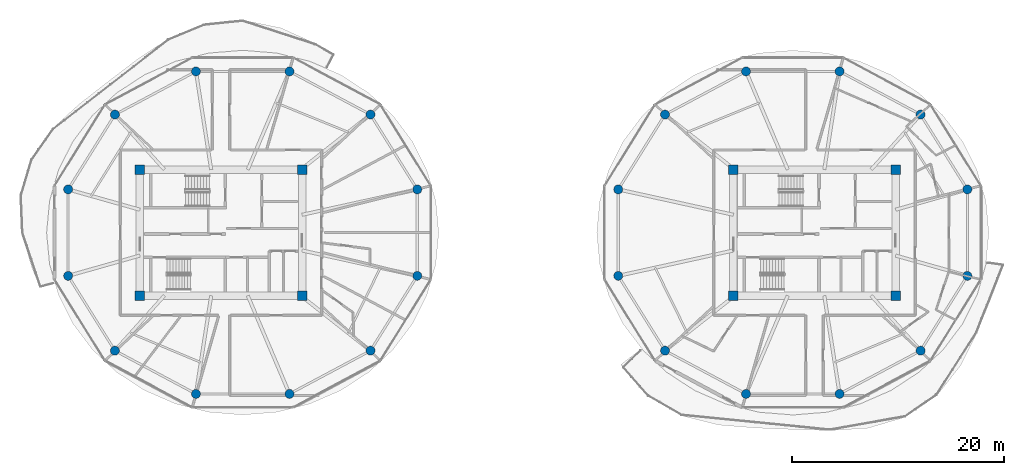
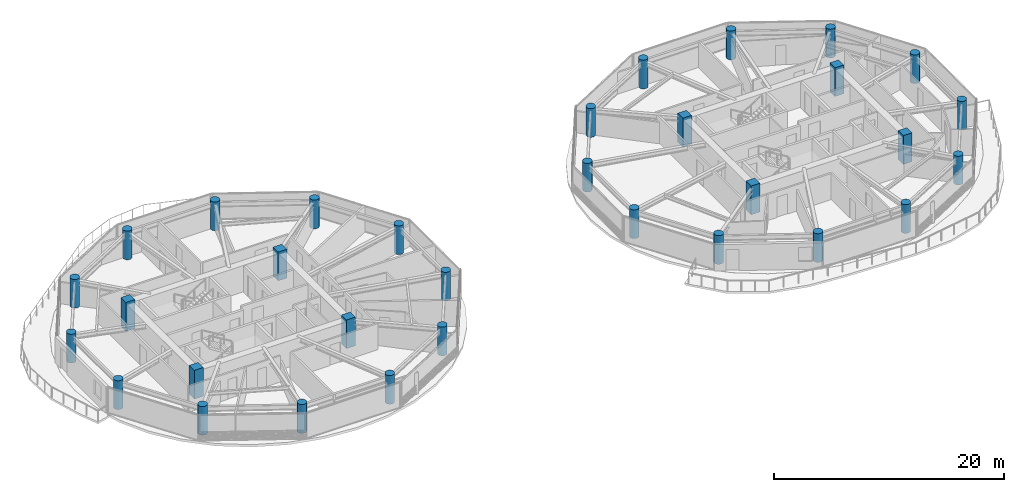
# One storey, part 1 of 24: 32 columns.
"""IFC4 building model written with IfcOpenShell, lengths in metres."""

from ifc_helpers import new_model, si_unit, direction, frame, origin, origin_2d, place, context, subcontext, project, spatial, rectangle, circle, extrude, source, transform, mapped, material, material_profile, profile_set, type_object, type_shapes, element, save


model = new_model("IFC4")

# Units and contexts
model_context = context("Model", 3, precision=1e-05, world=origin(), true_north=direction((0.0, 1.0)))
body_context = subcontext(model_context, "Body", "Model", "MODEL_VIEW")
ifc_project = project(units=[si_unit("LENGTHUNIT", "METRE"), si_unit("AREAUNIT", "SQUARE_METRE"), si_unit("VOLUMEUNIT", "CUBIC_METRE"), si_unit("PLANEANGLEUNIT", "RADIAN"), si_unit("MASSUNIT", "GRAM", prefix="KILO")], contexts=[model_context])

# Site, building, storey
site_placement = place(None, origin())
site = spatial("IfcSite", under=ifc_project, at=site_placement, CompositionType="ELEMENT")
building_placement = place(site_placement, origin())
building = spatial("IfcBuilding", under=site, at=building_placement, Name="Norrkilde Senior Care Towers", CompositionType="ELEMENT")
storey_placement = place(building_placement, frame((0.0, 0.0, 90.14990234375)))
storey = spatial("IfcBuildingStorey", under=building, at=storey_placement, Name="L27", CompositionType="ELEMENT", Elevation=90.14990234375)

# Columns
ifc_material = material(Name="Concrete C60/75", Category="concrete")
ifc_material_profile_1 = material_profile(ifc_material, rectangle(XDim=0.89990234375, YDim=0.89990234375, at=origin_2d()), Name="RC COL 900x900")
ifc_profile_set_1 = profile_set([ifc_material_profile_1], Name="Concrete C60/75")
column_type_1 = type_object("IfcColumnType", Name="Column Core Corner Z1-Z2 900", PredefinedType="COLUMN", material=ifc_profile_set_1)
shared_shape_1 = source(origin(), body_context, "Body", "SweptSolid", [
    extrude(rectangle(XDim=0.89990234375, YDim=0.89990234375, at=origin_2d()), origin(), (0.0, 0.0, 1.0), 3.050048828125),
])
type_shapes(column_type_1, [shared_shape_1])
for number, where, z_axis, x_axis, name in (
    (1, (-35.64990234375, -5.949951171875, 0.0), (0.0, 0.0, 1.0), (1.0, 0.0, 0.0), "L27 Core W Corner Column 1"),
    (2, (-20.35009765625, -5.949951171875, 0.0), (0.0, 0.0, 1.0), (1.0, 0.0, 0.0), "L27 Core W Corner Column 2"),
    (3, (-20.35009765625, 5.949951171875, 0.0), (0.0, 0.0, 1.0), (1.0, 0.0, 0.0), "L27 Core W Corner Column 3"),
    (4, (-35.64990234375, 5.949951171875, 0.0), (0.0, 0.0, 1.0), (1.0, 0.0, 0.0), "L27 Core W Corner Column 4"),
    (5, (20.35009765625, -5.949951171875, 0.0), (0.0, 0.0, 1.0), (1.0, 0.0, 0.0), "L27 Core E Corner Column 1"),
    (6, (35.64990234375, -5.949951171875, 0.0), (0.0, 0.0, 1.0), (1.0, 0.0, 0.0), "L27 Core E Corner Column 2"),
    (7, (35.64990234375, 5.949951171875, 0.0), (0.0, 0.0, 1.0), (1.0, 0.0, 0.0), "L27 Core E Corner Column 3"),
    (8, (20.35009765625, 5.949951171875, 0.0), (0.0, 0.0, 1.0), (1.0, 0.0, 0.0), "L27 Core E Corner Column 4"),
):
    element("IfcColumn", number, at=place(storey_placement, frame(where, z_axis=z_axis, x_axis=x_axis)), inside=storey, type_object=column_type_1, Name=name, PredefinedType="COLUMN", context=body_context, shape_type="MappedRepresentation", body=[
        mapped(shared_shape_1, transform((0.0, 0.0, 0.0), x_axis=(1.0, 0.0, 0.0), y_axis=(0.0, 1.0, 0.0), z_axis=(0.0, 0.0, 1.0), scale=1.0)),
    ])
ifc_material_profile_2 = material_profile(ifc_material, circle(Radius=0.425048828125, at=origin_2d()), Name="RC CIR 850")
ifc_profile_set_2 = profile_set([ifc_material_profile_2], Name="Concrete C60/75")
column_type_2 = type_object("IfcColumnType", Name="Column Perimeter Z2 850", PredefinedType="COLUMN", material=ifc_profile_set_2)
shared_shape_2 = source(origin(), body_context, "Body", "SweptSolid", [
    extrude(circle(Radius=0.425048828125, at=origin_2d()), origin(), (0.0, 0.0, 1.0), 3.050048828125),
])
type_shapes(column_type_2, [shared_shape_2])
for number, where, z_axis, x_axis, name in (
    (9, (-9.48095703125, 4.076416015625, 0.0), (0.0, 0.0, 1.0), (1.0, 0.0, 0.0), "L27 Drum W Perimeter Column 01"),
    (10, (-13.893798828125, 11.136962890625, 0.0), (0.0, 0.0, 1.0), (1.0, 0.0, 0.0), "L27 Drum W Perimeter Column 02"),
    (11, (-21.537109375, 15.21337890625, 0.0), (0.0, 0.0, 1.0), (1.0, 0.0, 0.0), "L27 Drum W Perimeter Column 03"),
    (12, (-30.36279296875, 15.21337890625, 0.0), (0.0, 0.0, 1.0), (1.0, 0.0, 0.0), "L27 Drum W Perimeter Column 04"),
    (13, (-38.006103515625, 11.136962890625, 0.0), (0.0, 0.0, 1.0), (1.0, 0.0, 0.0), "L27 Drum W Perimeter Column 05"),
    (14, (-42.4189453125, 4.076416015625, 0.0), (0.0, 0.0, 1.0), (1.0, 0.0, 0.0), "L27 Drum W Perimeter Column 06"),
    (15, (-42.4189453125, -4.076416015625, 0.0), (0.0, 0.0, 1.0), (1.0, 0.0, 0.0), "L27 Drum W Perimeter Column 07"),
    (16, (-38.006103515625, -11.136962890625, 0.0), (0.0, 0.0, 1.0), (1.0, 0.0, 0.0), "L27 Drum W Perimeter Column 08"),
    (17, (-30.36279296875, -15.21337890625, 0.0), (0.0, 0.0, 1.0), (1.0, 0.0, 0.0), "L27 Drum W Perimeter Column 09"),
    (18, (-21.537109375, -15.21337890625, 0.0), (0.0, 0.0, 1.0), (1.0, 0.0, 0.0), "L27 Drum W Perimeter Column 10"),
    (19, (-13.893798828125, -11.136962890625, 0.0), (0.0, 0.0, 1.0), (1.0, 0.0, 0.0), "L27 Drum W Perimeter Column 11"),
    (20, (-9.48095703125, -4.076416015625, 0.0), (0.0, 0.0, 1.0), (1.0, 0.0, 0.0), "L27 Drum W Perimeter Column 12"),
    (21, (42.4189453125, 4.076416015625, 0.0), (0.0, 0.0, 1.0), (1.0, 0.0, 0.0), "L27 Drum E Perimeter Column 01"),
    (22, (38.006103515625, 11.136962890625, 0.0), (0.0, 0.0, 1.0), (1.0, 0.0, 0.0), "L27 Drum E Perimeter Column 02"),
    (23, (30.36279296875, 15.21337890625, 0.0), (0.0, 0.0, 1.0), (1.0, 0.0, 0.0), "L27 Drum E Perimeter Column 03"),
    (24, (21.537109375, 15.21337890625, 0.0), (0.0, 0.0, 1.0), (1.0, 0.0, 0.0), "L27 Drum E Perimeter Column 04"),
    (25, (13.893798828125, 11.136962890625, 0.0), (0.0, 0.0, 1.0), (1.0, 0.0, 0.0), "L27 Drum E Perimeter Column 05"),
    (26, (9.48095703125, 4.076416015625, 0.0), (0.0, 0.0, 1.0), (1.0, 0.0, 0.0), "L27 Drum E Perimeter Column 06"),
    (27, (9.48095703125, -4.076416015625, 0.0), (0.0, 0.0, 1.0), (1.0, 0.0, 0.0), "L27 Drum E Perimeter Column 07"),
    (28, (13.893798828125, -11.136962890625, 0.0), (0.0, 0.0, 1.0), (1.0, 0.0, 0.0), "L27 Drum E Perimeter Column 08"),
    (29, (21.537109375, -15.21337890625, 0.0), (0.0, 0.0, 1.0), (1.0, 0.0, 0.0), "L27 Drum E Perimeter Column 09"),
    (30, (30.36279296875, -15.21337890625, 0.0), (0.0, 0.0, 1.0), (1.0, 0.0, 0.0), "L27 Drum E Perimeter Column 10"),
    (31, (38.006103515625, -11.136962890625, 0.0), (0.0, 0.0, 1.0), (1.0, 0.0, 0.0), "L27 Drum E Perimeter Column 11"),
    (32, (42.4189453125, -4.076416015625, 0.0), (0.0, 0.0, 1.0), (1.0, 0.0, 0.0), "L27 Drum E Perimeter Column 12"),
):
    element("IfcColumn", number, at=place(storey_placement, frame(where, z_axis=z_axis, x_axis=x_axis)), inside=storey, type_object=column_type_2, Name=name, PredefinedType="COLUMN", context=body_context, shape_type="MappedRepresentation", body=[
        mapped(shared_shape_2, transform((0.0, 0.0, 0.0), x_axis=(1.0, 0.0, 0.0), y_axis=(0.0, 1.0, 0.0), z_axis=(0.0, 0.0, 1.0), scale=1.0)),
    ])

save(model, "model.ifc")
